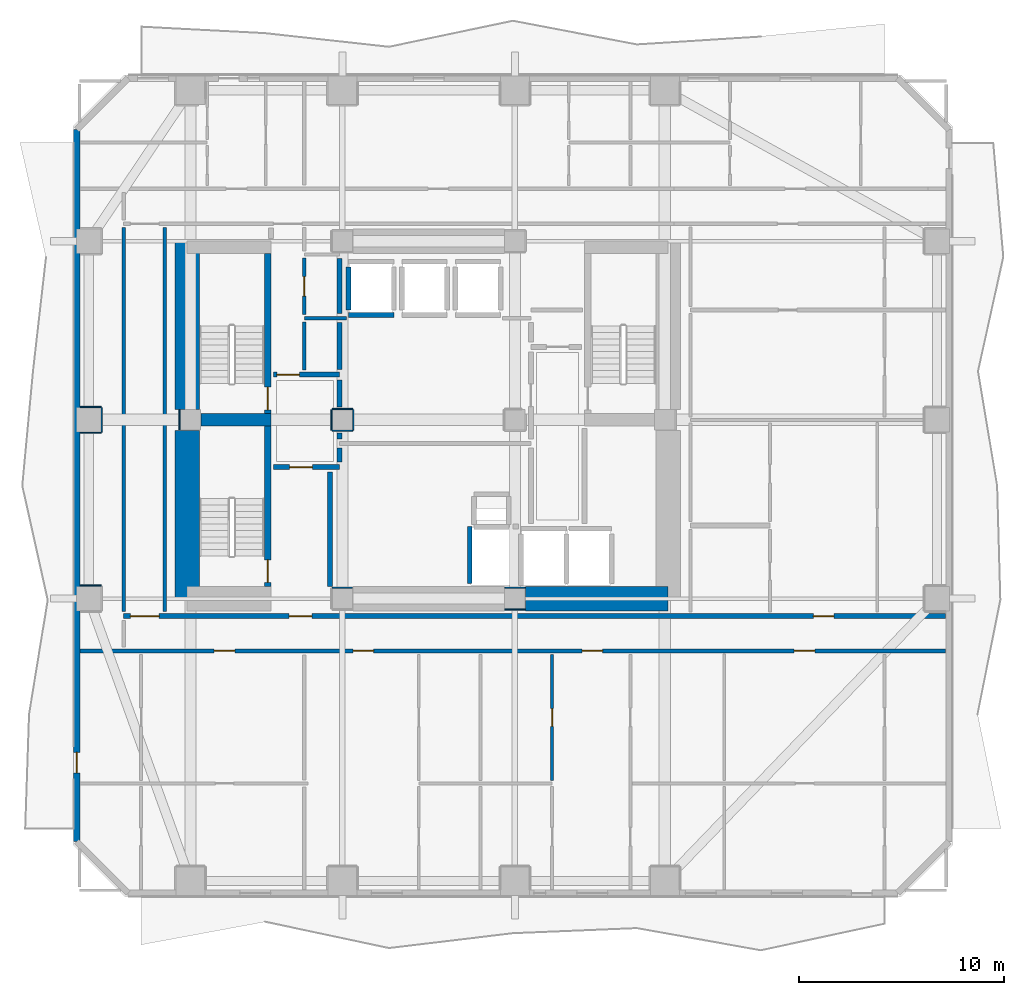
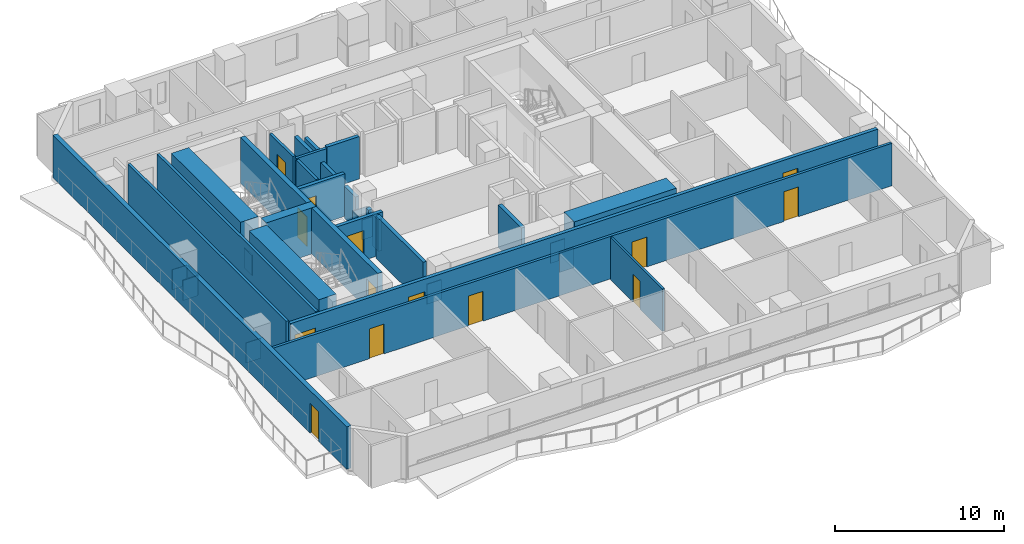
# One storey, part 3 of 10: 38 walls, 14 doors, 14 openings.
"""IFC4 building model written with IfcOpenShell, lengths in metres."""

from ifc_helpers import new_model, si_unit, direction, frame, frame_2d, origin, place, context, subcontext, project, spatial, rectangle, extrude, material, layer, layer_set, type_object, element, fill, save


model = new_model("IFC4")

# Units and contexts
model_context = context("Model", 3, precision=1e-05, world=origin(), true_north=direction((0.0, 1.0)))
body_context = subcontext(model_context, "Body", "Model", "MODEL_VIEW")
ifc_project = project(units=[si_unit("LENGTHUNIT", "METRE"), si_unit("AREAUNIT", "SQUARE_METRE"), si_unit("VOLUMEUNIT", "CUBIC_METRE"), si_unit("PLANEANGLEUNIT", "RADIAN"), si_unit("MASSUNIT", "GRAM", prefix="KILO")], contexts=[model_context])

# Site, building, storey
site_placement = place(None, origin())
site = spatial("IfcSite", under=ifc_project, at=site_placement, CompositionType="ELEMENT")
building_placement = place(site_placement, origin())
building = spatial("IfcBuilding", under=site, at=building_placement, Name="Solanera Arch Residences", CompositionType="ELEMENT")
storey_placement = place(building_placement, frame((0.0, 0.0, 45.239990234375)))
storey = spatial("IfcBuildingStorey", under=building, at=storey_placement, Name="L12", CompositionType="ELEMENT", Elevation=45.239990234375)

# Walls
ifc_material_1 = material(Name="Fire-Rated Gypsum Stud Partition", Category="gypsum")
ifc_layer_1 = layer(ifc_material_1, 0.06005859375)
ifc_layer_set_1 = layer_set([ifc_layer_1], Name="Fire-Rated Gypsum Stud Partition")
wall_type_1 = type_object("IfcWallType", Name="Column Acoustic Furring Wall 60", PredefinedType="PARTITIONING", material=ifc_layer_set_1)
wall_1_placement = place(storey_placement, frame((20.300048828125, 22.531982421875, 0.0), z_axis=(0.0, 0.0, 1.0), x_axis=(1.0, 0.0, 0.0)))
element("IfcWall", 1, at=wall_1_placement, inside=storey, type_object=wall_type_1, Name="L12 Column Furring 1N", PredefinedType="PARTITIONING", context=body_context, shape_type="SweptSolid", body=[
    extrude(rectangle(XDim=0.989990234375, YDim=0.06005859375, at=frame_2d((0.4951171875, 0.0))), origin(), (0.0, 0.0, 1.0), 1.449951171875),
])
for number, where, z_axis, x_axis, name in (
    (2, (28.7099609375, 21.468017578125, 0.0), (0.0, 0.0, 1.0), (1.0, 0.0, 0.0), "L12 Column Furring 2S"),
    (3, (28.7099609375, 22.531982421875, 0.0), (0.0, 0.0, 1.0), (1.0, 0.0, 0.0), "L12 Column Furring 2N"),
    (4, (12.867919921875, 30.2099609375, 0.0), (0.0, 0.0, 1.0), (0.0, 1.0, 0.0), "L12 Column Furring 5W"),
):
    element("IfcWall", number, at=place(storey_placement, frame(where, z_axis=z_axis, x_axis=x_axis)), inside=storey, type_object=wall_type_1, Name=name, PredefinedType="PARTITIONING", context=body_context, shape_type="SweptSolid", body=[
        extrude(rectangle(XDim=0.97998046875, YDim=0.06005859375, at=frame_2d((0.489990234375, 0.0))), origin(), (0.0, 0.0, 1.0), 1.449951171875),
    ])
for number, where, z_axis, x_axis, name in (
    (5, (20.300048828125, 30.16796875, 0.0), (0.0, 0.0, 1.0), (1.0, 0.0, 0.0), "L12 Column Furring 7S"),
    (6, (20.300048828125, 31.23193359375, 0.0), (0.0, 0.0, 1.0), (1.0, 0.0, 0.0), "L12 Column Furring 7N"),
    (7, (20.26806640625, 30.199951171875, 0.0), (0.0, 0.0, 1.0), (0.0, 1.0, 0.0), "L12 Column Furring 7W"),
    (8, (21.33203125, 30.199951171875, 0.0), (0.0, 0.0, 1.0), (0.0, 1.0, 0.0), "L12 Column Furring 7E"),
):
    element("IfcWall", number, at=place(storey_placement, frame(where, z_axis=z_axis, x_axis=x_axis)), inside=storey, type_object=wall_type_1, Name=name, PredefinedType="PARTITIONING", context=body_context, shape_type="SweptSolid", body=[
        extrude(rectangle(XDim=1.0, YDim=0.06005859375, at=frame_2d((0.5, 0.0))), origin(), (0.0, 0.0, 1.0), 1.449951171875),
    ])
for number, where, z_axis, x_axis, name in (
    (9, (8.030029296875, 22.632080078125, 0.0), (0.0, 0.0, 1.0), (1.0, 0.0, 0.0), "L12 Column Furring 17N"),
    (10, (8.030029296875, 30.068115234375, 0.0), (0.0, 0.0, 1.0), (1.0, 0.0, 0.0), "L12 Column Furring 19S"),
    (11, (8.030029296875, 31.33203125, 0.0), (0.0, 0.0, 1.0), (1.0, 0.0, 0.0), "L12 Column Furring 19N"),
):
    element("IfcWall", number, at=place(storey_placement, frame(where, z_axis=z_axis, x_axis=x_axis)), inside=storey, type_object=wall_type_1, Name=name, PredefinedType="PARTITIONING", context=body_context, shape_type="SweptSolid", body=[
        extrude(rectangle(XDim=1.02001953125, YDim=0.06005859375, at=frame_2d((0.510009765625, 0.0))), origin(), (0.0, 0.0, 1.0), 1.449951171875),
    ])
wall_2_placement = place(storey_placement, frame((9.08203125, 30.10009765625, 0.0), z_axis=(0.0, 0.0, 1.0), x_axis=(0.0, 1.0, 0.0)))
element("IfcWall", 12, at=wall_2_placement, inside=storey, type_object=wall_type_1, Name="L12 Column Furring 19E", PredefinedType="PARTITIONING", context=body_context, shape_type="SweptSolid", body=[
    extrude(rectangle(XDim=1.199951171875, YDim=0.06005859375, at=frame_2d((0.60009765625, 0.0))), origin(), (0.0, 0.0, 1.0), 1.449951171875),
])
ifc_material_2 = material(Name="Concrete C55/67 (f'c = 60 MPa)", Category="concrete")
ifc_layer_2 = layer(ifc_material_2, 1.199951171875)
ifc_layer_set_2 = layer_set([ifc_layer_2], Name="Concrete C55/67 (f'c = 60 MPa)")
wall_type_2 = type_object("IfcWallType", Name="Core Shear Wall CW-1200", PredefinedType="SHEAR", material=ifc_layer_set_2)
wall_3_placement = place(storey_placement, frame((13.239990234375, 22.0, 0.0), z_axis=(0.0, 0.0, 1.0), x_axis=(0.0, 1.0, 0.0)))
element("IfcWall", 13, at=wall_3_placement, inside=storey, type_object=wall_type_2, Name="L12 West Core South Shear Wall", PredefinedType="SHEAR", context=body_context, shape_type="SweptSolid", body=[
    extrude(rectangle(XDim=8.195068359375, YDim=1.199951171875, at=frame_2d((4.09765625, 0.0))), origin(), (0.0, 0.0, 1.0), 3.320068359375),
])
wall_4_placement = place(storey_placement, frame((13.239990234375, 31.205078125, 0.0), z_axis=(0.0, 0.0, 1.0), x_axis=(0.0, 1.0, 0.0)))
element("IfcWall", 14, at=wall_4_placement, inside=storey, type_object=wall_type_2, Name="L12 West Core North Shear Wall", PredefinedType="SHEAR", context=body_context, shape_type="SweptSolid", body=[
    extrude(rectangle(XDim=8.19482421875, YDim=1.199951171875, at=frame_2d((4.097412109375, 0.0))), origin(), (0.0, 0.0, 1.0), 3.320068359375),
])
wall_5_placement = place(storey_placement, frame((29.705078125, 22.0, 0.0), z_axis=(0.0, 0.0, 1.0), x_axis=(1.0, 0.0, 0.0)))
element("IfcWall", 15, at=wall_5_placement, inside=storey, type_object=wall_type_2, Name="L12 South-East Core Shear Wall", PredefinedType="SHEAR", context=body_context, shape_type="SweptSolid", body=[
    extrude(rectangle(XDim=6.954833984375, YDim=1.199951171875, at=frame_2d((3.4775390625, 0.0))), origin(), (0.0, 0.0, 1.0), 3.320068359375),
])

# Wall, opening, door
ifc_material_3 = material(Name="Concrete C40/50 (f'c = 45 MPa)", Category="concrete")
ifc_layer_3 = layer(ifc_material_3, 0.320068359375)
ifc_layer_set_3 = layer_set([ifc_layer_3], Name="Concrete C40/50 (f'c = 45 MPa)")
wall_type_3 = type_object("IfcWallType", Name="Core Shear Wall CW-320", PredefinedType="SHEAR", material=ifc_layer_set_3)
wall_6_placement = place(storey_placement, frame((17.159912109375, 31.0, 0.0), z_axis=(0.0, 0.0, 1.0), x_axis=(0.0, 1.0, 0.0)))
wall_6 = element("IfcWall", 16, at=wall_6_placement, inside=storey, type_object=wall_type_3, Name="L12 Stair ST-T1 East Shear Wall", PredefinedType="SHEAR", context=body_context, shape_type="SweptSolid", body=[
    extrude(rectangle(XDim=7.800048828125, YDim=0.320068359375, at=frame_2d((3.89990234375, 0.0))), origin(), (0.0, 0.0, 1.0), 3.320068359375),
])
opening_1_placement = place(wall_6_placement, frame((0.18994140625, 0.0, 0.0)))
opening_1 = element("IfcOpeningElement", 17, at=opening_1_placement, cuts=wall_6, Name="Opening DF-01", PredefinedType="OPENING", context=body_context, shape_type="SweptSolid", body=[
    extrude(rectangle(XDim=1.10009765625, YDim=2.14990234375, at=frame_2d((0.550048828125, 1.074951171875))), frame((0.0, 0.169921875, 0.0), z_axis=(0.0, -1.0, 0.0), x_axis=(1.0, 0.0, 0.0)), (0.0, 0.0, 1.0), 0.3401),
])
ifc_material_4 = material(Name="Fire-Rated Architectural Hardwood", Category="wood")
door_type_1 = type_object("IfcDoorType", Name="Stair Exit Fire Door DF-01", OperationType="NOTDEFINED", PredefinedType="DOOR", material=ifc_material_4)
door_1_placement = place(opening_1_placement, origin())
door_1 = element("IfcDoor", 18, at=door_1_placement, inside=storey, type_object=door_type_1, Name="DR-L12-STAIR-ST-T1", OperationType="SINGLE_SWING_RIGHT", OverallHeight=2.14990234375, OverallWidth=1.10009765625, PredefinedType="DOOR", context=body_context, shape_type="SweptSolid", body=[
    extrude(rectangle(XDim=1.10009765625, YDim=2.14990234375, at=frame_2d((0.550048828125, 1.074951171875))), frame((0.0, 0.02490234375, 0.0), z_axis=(0.0, -1.0, 0.0), x_axis=(1.0, 0.0, 0.0)), (0.0, 0.0, 1.0), 0.050048828125),
])
fill(opening_1, door_1)

wall_7_placement = place(storey_placement, frame((17.159912109375, 22.60009765625, 0.0), z_axis=(0.0, 0.0, 1.0), x_axis=(0.0, 1.0, 0.0)))
wall_7 = element("IfcWall", 19, at=wall_7_placement, inside=storey, type_object=wall_type_3, Name="L12 Stair ST-T3 East Shear Wall", PredefinedType="SHEAR", context=body_context, shape_type="SweptSolid", body=[
    extrude(rectangle(XDim=7.7998046875, YDim=0.320068359375, at=frame_2d((3.89990234375, 0.0))), origin(), (0.0, 0.0, 1.0), 3.320068359375),
])
opening_2_placement = place(wall_7_placement, frame((0.18994140625, 0.0, 0.0)))
opening_2 = element("IfcOpeningElement", 20, at=opening_2_placement, cuts=wall_7, Name="Opening DF-01", PredefinedType="OPENING", context=body_context, shape_type="SweptSolid", body=[
    extrude(rectangle(XDim=1.10009765625, YDim=2.14990234375, at=frame_2d((0.550048828125, 1.074951171875))), frame((0.0, 0.169921875, 0.0), z_axis=(0.0, -1.0, 0.0), x_axis=(1.0, 0.0, 0.0)), (0.0, 0.0, 1.0), 0.3401),
])
door_2_placement = place(opening_2_placement, origin())
door_2 = element("IfcDoor", 21, at=door_2_placement, inside=storey, type_object=door_type_1, Name="DR-L12-STAIR-ST-T3", OperationType="SINGLE_SWING_RIGHT", OverallHeight=2.14990234375, OverallWidth=1.10009765625, PredefinedType="DOOR", context=body_context, shape_type="SweptSolid", body=[
    extrude(rectangle(XDim=1.10009765625, YDim=2.14990234375, at=frame_2d((0.550048828125, 1.074951171875))), frame((0.0, 0.02490234375, 0.0), z_axis=(0.0, -1.0, 0.0), x_axis=(1.0, 0.0, 0.0)), (0.0, 0.0, 1.0), 0.050048828125),
])
fill(opening_2, door_2)

# Wall
ifc_material_5 = material(Name="Concrete C40/50 (f'c = 45 MPa)", Category="concrete")
ifc_layer_4 = layer(ifc_material_5, 0.60009765625)
ifc_layer_set_4 = layer_set([ifc_layer_4], Name="Concrete C40/50 (f'c = 45 MPa)")
wall_type_4 = type_object("IfcWallType", Name="Core Shear Wall CW-600", PredefinedType="SHEAR", material=ifc_layer_set_4)
wall_8_placement = place(storey_placement, frame((13.905029296875, 30.699951171875, 0.0), z_axis=(0.0, 0.0, 1.0), x_axis=(1.0, 0.0, 0.0)))
element("IfcWall", 22, at=wall_8_placement, inside=storey, type_object=wall_type_4, Name="L12 West Stair Divider Shear Wall", PredefinedType="SHEAR", context=body_context, shape_type="SweptSolid", body=[
    extrude(rectangle(XDim=3.4150390625, YDim=0.60009765625, at=frame_2d((1.70751953125, 0.0))), origin(), (0.0, 0.0, 1.0), 3.320068359375),
])

# Wall, openings, doors
ifc_material_6 = material(Name="Autoclaved Aerated Concrete Blockwork", Category="masonry")
ifc_layer_5 = layer(ifc_material_6, 0.179931640625)
ifc_layer_set_5 = layer_set([ifc_layer_5], Name="Autoclaved Aerated Concrete Blockwork")
wall_type_5 = type_object("IfcWallType", Name="Corridor Fire Partition 180", PredefinedType="PARTITIONING", material=ifc_layer_set_5)
wall_9_placement = place(storey_placement, frame((8.027099609375, 19.449951171875, 0.0), z_axis=(0.0, 0.0, 1.0), x_axis=(1.0, 0.0, 0.0)))
wall_9 = element("IfcWall", 23, at=wall_9_placement, inside=storey, type_object=wall_type_5, Name="L12 Interior Partition H7", PredefinedType="PARTITIONING", context=body_context, shape_type="SweptSolid", body=[
    extrude(rectangle(XDim=42.14599609375, YDim=0.179931640625, at=frame_2d((21.072998046875, 0.0))), origin(), (0.0, 0.0, 1.0), 3.06005859375),
])
opening_3_placement = place(wall_9_placement, frame((6.532958984375, 0.0, 0.0)))
opening_3 = element("IfcOpeningElement", 24, at=opening_3_placement, cuts=wall_9, Name="Opening DI-01", PredefinedType="OPENING", context=body_context, shape_type="SweptSolid", body=[
    extrude(rectangle(XDim=1.0, YDim=2.14990234375, at=frame_2d((0.5, 1.074951171875))), frame((0.0, 0.10009765625, 0.0), z_axis=(0.0, -1.0, 0.0), x_axis=(1.0, 0.0, 0.0)), (0.0, 0.0, 1.0), 0.1999),
])
opening_4_placement = place(wall_9_placement, frame((13.29296875, 0.0, 0.0)))
opening_4 = element("IfcOpeningElement", 25, at=opening_4_placement, cuts=wall_9, Name="Opening DI-01", PredefinedType="OPENING", context=body_context, shape_type="SweptSolid", body=[
    extrude(rectangle(XDim=1.0, YDim=2.14990234375, at=frame_2d((0.5, 1.074951171875))), frame((0.0, 0.10009765625, 0.0), z_axis=(0.0, -1.0, 0.0), x_axis=(1.0, 0.0, 0.0)), (0.0, 0.0, 1.0), 0.1999),
])
opening_5_placement = place(wall_9_placement, frame((24.43896484375, 0.0, 0.0)))
opening_5 = element("IfcOpeningElement", 26, at=opening_5_placement, cuts=wall_9, Name="Opening DI-01", PredefinedType="OPENING", context=body_context, shape_type="SweptSolid", body=[
    extrude(rectangle(XDim=1.0, YDim=2.14990234375, at=frame_2d((0.5, 1.074951171875))), frame((0.0, 0.10009765625, 0.0), z_axis=(0.0, -1.0, 0.0), x_axis=(1.0, 0.0, 0.0)), (0.0, 0.0, 1.0), 0.1999),
])
opening_6_placement = place(wall_9_placement, frame((34.77099609375, 0.0, 0.0)))
opening_6 = element("IfcOpeningElement", 27, at=opening_6_placement, cuts=wall_9, Name="Opening DI-01", PredefinedType="OPENING", context=body_context, shape_type="SweptSolid", body=[
    extrude(rectangle(XDim=1.0, YDim=2.14990234375, at=frame_2d((0.5, 1.074951171875))), frame((0.0, 0.10009765625, 0.0), z_axis=(0.0, -1.0, 0.0), x_axis=(1.0, 0.0, 0.0)), (0.0, 0.0, 1.0), 0.1999),
])
ifc_material_7 = material(Name="Fire-Rated Architectural Hardwood", Category="wood")
door_type_2 = type_object("IfcDoorType", Name="Unit Entrance Fire Door DI-01", OperationType="NOTDEFINED", PredefinedType="DOOR", material=ifc_material_7)
door_3_placement = place(opening_3_placement, origin())
door_3 = element("IfcDoor", 28, at=door_3_placement, inside=storey, type_object=door_type_2, Name="DR-L12-IN-013", OperationType="SINGLE_SWING_RIGHT", OverallHeight=2.14990234375, OverallWidth=1.0, PredefinedType="DOOR", context=body_context, shape_type="SweptSolid", body=[
    extrude(rectangle(XDim=1.0, YDim=2.14990234375, at=frame_2d((0.5, 1.074951171875))), frame((0.0, 0.02490234375, 0.0), z_axis=(0.0, -1.0, 0.0), x_axis=(1.0, 0.0, 0.0)), (0.0, 0.0, 1.0), 0.050048828125),
])
fill(opening_3, door_3)
door_4_placement = place(opening_4_placement, origin())
door_4 = element("IfcDoor", 29, at=door_4_placement, inside=storey, type_object=door_type_2, Name="DR-L12-IN-017", OperationType="SINGLE_SWING_RIGHT", OverallHeight=2.14990234375, OverallWidth=1.0, PredefinedType="DOOR", context=body_context, shape_type="SweptSolid", body=[
    extrude(rectangle(XDim=1.0, YDim=2.14990234375, at=frame_2d((0.5, 1.074951171875))), frame((0.0, 0.02490234375, 0.0), z_axis=(0.0, -1.0, 0.0), x_axis=(1.0, 0.0, 0.0)), (0.0, 0.0, 1.0), 0.050048828125),
])
fill(opening_4, door_4)
door_5_placement = place(opening_5_placement, origin())
door_5 = element("IfcDoor", 30, at=door_5_placement, inside=storey, type_object=door_type_2, Name="DR-L12-IN-020", OperationType="SINGLE_SWING_LEFT", OverallHeight=2.14990234375, OverallWidth=1.0, PredefinedType="DOOR", context=body_context, shape_type="SweptSolid", body=[
    extrude(rectangle(XDim=1.0, YDim=2.14990234375, at=frame_2d((0.5, 1.074951171875))), frame((0.0, 0.02490234375, 0.0), z_axis=(0.0, -1.0, 0.0), x_axis=(1.0, 0.0, 0.0)), (0.0, 0.0, 1.0), 0.050048828125),
])
fill(opening_5, door_5)
door_6_placement = place(opening_6_placement, origin())
door_6 = element("IfcDoor", 31, at=door_6_placement, inside=storey, type_object=door_type_2, Name="DR-L12-IN-025", OperationType="SINGLE_SWING_RIGHT", OverallHeight=2.14990234375, OverallWidth=1.0, PredefinedType="DOOR", context=body_context, shape_type="SweptSolid", body=[
    extrude(rectangle(XDim=1.0, YDim=2.14990234375, at=frame_2d((0.5, 1.074951171875))), frame((0.0, 0.02490234375, 0.0), z_axis=(0.0, -1.0, 0.0), x_axis=(1.0, 0.0, 0.0)), (0.0, 0.0, 1.0), 0.050048828125),
])
fill(opening_6, door_6)

# Walls
wall_10_placement = place(storey_placement, frame((18.949951171875, 35.64990234375, 0.0), z_axis=(0.0, 0.0, 1.0), x_axis=(1.0, 0.0, 0.0)))
element("IfcWall", 32, at=wall_10_placement, inside=storey, type_object=wall_type_5, Name="L12 Interior Partition H9 1", PredefinedType="PARTITIONING", context=body_context, shape_type="SweptSolid", body=[
    extrude(rectangle(XDim=2.05712890625, YDim=0.179931640625, at=frame_2d((1.028564453125, 0.0))), origin(), (0.0, 0.0, 1.0), 3.06005859375),
])
for number, where, z_axis, x_axis, name in (
    (33, (10.14990234375, 21.367919921875, 0.0), (0.0, 0.0, 1.0), (0.0, 1.0, 0.0), "L12 Interior Partition V6 2"),
    (34, (12.14990234375, 21.367919921875, 0.0), (0.0, 0.0, 1.0), (0.0, 1.0, 0.0), "L12 Interior Partition V7"),
):
    element("IfcWall", number, at=place(storey_placement, frame(where, z_axis=z_axis, x_axis=x_axis)), inside=storey, type_object=wall_type_5, Name=name, PredefinedType="PARTITIONING", context=body_context, shape_type="SweptSolid", body=[
        extrude(rectangle(XDim=18.694091796875, YDim=0.179931640625, at=frame_2d((9.34716796875, 0.0))), origin(), (0.0, 0.0, 1.0), 3.06005859375),
    ])
wall_11_placement = place(storey_placement, frame((18.949951171875, 33.117919921875, 0.0), z_axis=(0.0, 0.0, 1.0), x_axis=(0.0, 1.0, 0.0)))
element("IfcWall", 35, at=wall_11_placement, inside=storey, type_object=wall_type_5, Name="L12 Interior Partition V9 1", PredefinedType="PARTITIONING", context=body_context, shape_type="SweptSolid", body=[
    extrude(rectangle(XDim=2.343994140625, YDim=0.179931640625, at=frame_2d((1.171875, 0.0))), origin(), (0.0, 0.0, 1.0), 3.06005859375),
])

# Wall, opening, door
wall_12_placement = place(storey_placement, frame((18.949951171875, 35.837890625, 0.0), z_axis=(0.0, 0.0, 1.0), x_axis=(0.0, 1.0, 0.0)))
wall_12 = element("IfcWall", 36, at=wall_12_placement, inside=storey, type_object=wall_type_5, Name="L12 Interior Partition V9 2", PredefinedType="PARTITIONING", context=body_context, shape_type="SweptSolid", body=[
    extrude(rectangle(XDim=2.744140625, YDim=0.179931640625, at=frame_2d((1.3720703125, 0.0))), origin(), (0.0, 0.0, 1.0), 3.06005859375),
])
opening_7_placement = place(wall_12_placement, frame((0.886962890625, 0.0, 0.0)))
opening_7 = element("IfcOpeningElement", 37, at=opening_7_placement, cuts=wall_12, Name="Opening DI-04", PredefinedType="OPENING", context=body_context, shape_type="SweptSolid", body=[
    extrude(rectangle(XDim=0.949951171875, YDim=2.10009765625, at=frame_2d((0.47509765625, 1.050048828125))), frame((0.0, 0.10009765625, 0.0), z_axis=(0.0, -1.0, 0.0), x_axis=(1.0, 0.0, 0.0)), (0.0, 0.0, 1.0), 0.1999),
])
ifc_material_8 = material(Name="Fire-Rated Architectural Hardwood", Category="wood")
door_type_3 = type_object("IfcDoorType", Name="Accessible Restroom Door DI-04", OperationType="NOTDEFINED", PredefinedType="DOOR", material=ifc_material_8)
door_7_placement = place(opening_7_placement, origin())
door_7 = element("IfcDoor", 38, at=door_7_placement, inside=storey, type_object=door_type_3, Name="DR-L12-IN-012", OperationType="SINGLE_SWING_LEFT", OverallHeight=2.10009765625, OverallWidth=0.949951171875, PredefinedType="DOOR", context=body_context, shape_type="SweptSolid", body=[
    extrude(rectangle(XDim=0.949951171875, YDim=2.10009765625, at=frame_2d((0.47509765625, 1.050048828125))), frame((0.0, 0.02490234375, 0.0), z_axis=(0.0, -1.0, 0.0), x_axis=(1.0, 0.0, 0.0)), (0.0, 0.0, 1.0), 0.050048828125),
])
fill(opening_7, door_7)

ifc_material_9 = material(Name="Precast Concrete C35/45", Category="concrete")
ifc_layer_6 = layer(ifc_material_9, 0.300048828125)
ifc_layer_set_6 = layer_set([ifc_layer_6], Name="Precast Concrete C35/45")
wall_type_6 = type_object("IfcWallType", Name="Exterior Wall Precast Masonry-Frame 300", PredefinedType="STANDARD", material=ifc_layer_set_6)
wall_13_placement = place(storey_placement, frame((7.864990234375, 10.1650390625, 0.0), z_axis=(0.0, 0.0, 1.0), x_axis=(0.0, 1.0, 0.0)))
wall_13 = element("IfcWall", 39, at=wall_13_placement, inside=storey, type_object=wall_type_6, Name="L12 Tower Exterior Precast Masonry-Frame Wall W", PredefinedType="STANDARD", context=body_context, shape_type="SweptSolid", body=[
    extrude(rectangle(XDim=34.669921875, YDim=0.300048828125, at=frame_2d((17.3349609375, 0.0))), origin(), (0.0, 0.0, 1.0), 3.06005859375),
])
opening_8_placement = place(wall_13_placement, frame((3.35205078125, 0.0, 0.0)))
opening_8 = element("IfcOpeningElement", 40, at=opening_8_placement, cuts=wall_13, Name="Opening DB-01", PredefinedType="OPENING", context=body_context, shape_type="SweptSolid", body=[
    extrude(rectangle(XDim=1.0, YDim=2.14990234375, at=frame_2d((0.5, 1.074951171875))), frame((0.0, 0.159912109375, 0.0), z_axis=(0.0, -1.0, 0.0), x_axis=(1.0, 0.0, 0.0)), (0.0, 0.0, 1.0), 0.32),
])
ifc_material_10 = material(Name="Anodised Aluminium Alloy 6063-T6", Category="aluminium")
door_type_4 = type_object("IfcDoorType", Name="Glazed Balcony Swing Door DB-01", OperationType="NOTDEFINED", PredefinedType="DOOR", material=ifc_material_10)
door_8_placement = place(opening_8_placement, origin())
door_8 = element("IfcDoor", 41, at=door_8_placement, inside=storey, type_object=door_type_4, Name="DR-L12-OUT-04", OperationType="SINGLE_SWING_LEFT", OverallHeight=2.14990234375, OverallWidth=1.0, PredefinedType="DOOR", context=body_context, shape_type="SweptSolid", body=[
    extrude(rectangle(XDim=1.0, YDim=2.14990234375, at=frame_2d((0.5, 1.074951171875))), frame((0.0, 0.02490234375, 0.0), z_axis=(0.0, -1.0, 0.0), x_axis=(1.0, 0.0, 0.0)), (0.0, 0.0, 1.0), 0.050048828125),
])
fill(opening_8, door_8)

# Walls
ifc_material_11 = material(Name="Autoclaved Aerated Concrete Blockwork", Category="masonry")
ifc_layer_7 = layer(ifc_material_11, 0.239990234375)
ifc_layer_set_7 = layer_set([ifc_layer_7], Name="Autoclaved Aerated Concrete Blockwork")
wall_type_7 = type_object("IfcWallType", Name="Shaft Wall Fire-Rated 240", PredefinedType="PARTITIONING", material=ifc_layer_set_7)
wall_14_placement = place(storey_placement, frame((21.10009765625, 35.800048828125, 0.0), z_axis=(0.0, 0.0, 1.0), x_axis=(1.0, 0.0, 0.0)))
element("IfcWall", 42, at=wall_14_placement, inside=storey, type_object=wall_type_7, Name="L12 Lift PL-L1 Hoistway Wall S", PredefinedType="PARTITIONING", context=body_context, shape_type="SweptSolid", body=[
    extrude(rectangle(XDim=2.199951171875, YDim=0.239990234375, at=frame_2d((1.10009765625, 0.0))), origin(), (0.0, 0.0, 1.0), 3.06005859375),
])
wall_15_placement = place(storey_placement, frame((21.10009765625, 36.048095703125, 0.0), z_axis=(0.0, 0.0, 1.0), x_axis=(0.0, 1.0, 0.0)))
element("IfcWall", 43, at=wall_15_placement, inside=storey, type_object=wall_type_7, Name="L12 Lift PL-L1 Hoistway Wall W", PredefinedType="PARTITIONING", context=body_context, shape_type="SweptSolid", body=[
    extrude(rectangle(XDim=2.10400390625, YDim=0.239990234375, at=frame_2d((1.052001953125, 0.0))), origin(), (0.0, 0.0, 1.0), 2.294921875),
])
wall_16_placement = place(storey_placement, frame((27.0, 22.72998046875, 0.0), z_axis=(0.0, 0.0, 1.0), x_axis=(0.0, 1.0, 0.0)))
element("IfcWall", 44, at=wall_16_placement, inside=storey, type_object=wall_type_7, Name="L12 Lift SVL-1 Hoistway Wall W", PredefinedType="PARTITIONING", context=body_context, shape_type="SweptSolid", body=[
    extrude(rectangle(XDim=2.76806640625, YDim=0.239990234375, at=frame_2d((1.384033203125, 0.0))), origin(), (0.0, 0.0, 1.0), 3.06005859375),
])

# Wall, openings, doors
wall_17_placement = place(storey_placement, frame((10.14990234375, 21.14990234375, 0.0), z_axis=(0.0, 0.0, 1.0), x_axis=(1.0, 0.0, 0.0)))
wall_17 = element("IfcWall", 45, at=wall_17_placement, inside=storey, type_object=wall_type_7, Name="L12 Interior Partition H1", PredefinedType="PARTITIONING", context=body_context, shape_type="SweptSolid", body=[
    extrude(rectangle(XDim=40.023193359375, YDim=0.239990234375, at=frame_2d((20.01171875, 0.0))), origin(), (0.0, 0.0, 1.0), 3.06005859375),
])
opening_9_placement = place(wall_17_placement, frame((8.06005859375, 0.0, 0.0)))
opening_9 = element("IfcOpeningElement", 46, at=opening_9_placement, cuts=wall_17, Name="Opening DF-02", PredefinedType="OPENING", context=body_context, shape_type="SweptSolid", body=[
    extrude(rectangle(XDim=1.10009765625, YDim=2.14990234375, at=frame_2d((0.550048828125, 1.074951171875))), frame((0.0, 0.1298828125, 0.0), z_axis=(0.0, -1.0, 0.0), x_axis=(1.0, 0.0, 0.0)), (0.0, 0.0, 1.0), 0.26),
])
opening_10_placement = place(wall_17_placement, frame((0.323974609375, 0.0, 0.0)))
opening_10 = element("IfcOpeningElement", 47, at=opening_10_placement, cuts=wall_17, Name="Opening DF-03", PredefinedType="OPENING", context=body_context, shape_type="SweptSolid", body=[
    extrude(rectangle(XDim=1.39990234375, YDim=2.14990234375, at=frame_2d((0.699951171875, 1.074951171875))), frame((0.0, 0.1298828125, 0.0), z_axis=(0.0, -1.0, 0.0), x_axis=(1.0, 0.0, 0.0)), (0.0, 0.0, 1.0), 0.26),
])
opening_11_placement = place(wall_17_placement, frame((33.573974609375, 0.0, 0.0)))
opening_11 = element("IfcOpeningElement", 48, at=opening_11_placement, cuts=wall_17, Name="Opening DI-01", PredefinedType="OPENING", context=body_context, shape_type="SweptSolid", body=[
    extrude(rectangle(XDim=1.0, YDim=2.14990234375, at=frame_2d((0.5, 1.074951171875))), frame((0.0, 0.1298828125, 0.0), z_axis=(0.0, -1.0, 0.0), x_axis=(1.0, 0.0, 0.0)), (0.0, 0.0, 1.0), 0.26),
])
ifc_material_12 = material(Name="Fire-Rated Architectural Hardwood", Category="wood")
door_type_5 = type_object("IfcDoorType", Name="Corridor Smoke Door DF-03", OperationType="NOTDEFINED", PredefinedType="DOOR", material=ifc_material_12)
door_9_placement = place(opening_10_placement, origin())
door_9 = element("IfcDoor", 49, at=door_9_placement, inside=storey, type_object=door_type_5, Name="DR-L12-IN-010", OperationType="SINGLE_SWING_LEFT", OverallHeight=2.14990234375, OverallWidth=1.39990234375, PredefinedType="DOOR", context=body_context, shape_type="SweptSolid", body=[
    extrude(rectangle(XDim=1.39990234375, YDim=2.14990234375, at=frame_2d((0.699951171875, 1.074951171875))), frame((0.0, 0.02490234375, 0.0), z_axis=(0.0, -1.0, 0.0), x_axis=(1.0, 0.0, 0.0)), (0.0, 0.0, 1.0), 0.050048828125),
])
fill(opening_10, door_9)
ifc_material_13 = material(Name="Fire-Rated Architectural Hardwood", Category="wood")
door_type_6 = type_object("IfcDoorType", Name="Firefighting Lobby Fire Door DF-02", OperationType="NOTDEFINED", PredefinedType="DOOR", material=ifc_material_13)
door_10_placement = place(opening_9_placement, origin())
door_10 = element("IfcDoor", 50, at=door_10_placement, inside=storey, type_object=door_type_6, Name="DR-L12-IN-008", OperationType="SINGLE_SWING_LEFT", OverallHeight=2.14990234375, OverallWidth=1.10009765625, PredefinedType="DOOR", context=body_context, shape_type="SweptSolid", body=[
    extrude(rectangle(XDim=1.10009765625, YDim=2.14990234375, at=frame_2d((0.550048828125, 1.074951171875))), frame((0.0, 0.02490234375, 0.0), z_axis=(0.0, -1.0, 0.0), x_axis=(1.0, 0.0, 0.0)), (0.0, 0.0, 1.0), 0.050048828125),
])
fill(opening_9, door_10)
door_11_placement = place(opening_11_placement, origin())
door_11 = element("IfcDoor", 51, at=door_11_placement, inside=storey, type_object=door_type_2, Name="DR-L12-IN-040", OperationType="SINGLE_SWING_LEFT", OverallHeight=2.14990234375, OverallWidth=1.0, PredefinedType="DOOR", context=body_context, shape_type="SweptSolid", body=[
    extrude(rectangle(XDim=1.0, YDim=2.14990234375, at=frame_2d((0.5, 1.074951171875))), frame((0.0, 0.02490234375, 0.0), z_axis=(0.0, -1.0, 0.0), x_axis=(1.0, 0.0, 0.0)), (0.0, 0.0, 1.0), 0.050048828125),
])
fill(opening_11, door_11)

# Wall, opening, door
wall_18_placement = place(storey_placement, frame((17.449951171875, 28.39990234375, 0.0), z_axis=(0.0, 0.0, 1.0), x_axis=(1.0, 0.0, 0.0)))
wall_18 = element("IfcWall", 52, at=wall_18_placement, inside=storey, type_object=wall_type_7, Name="L12 Interior Partition H4", PredefinedType="PARTITIONING", context=body_context, shape_type="SweptSolid", body=[
    extrude(rectangle(XDim=3.199951171875, YDim=0.239990234375, at=frame_2d((1.60009765625, 0.0))), origin(), (0.0, 0.0, 1.0), 3.06005859375),
])
opening_12_placement = place(wall_18_placement, frame((0.783935546875, 0.0, 0.0)))
opening_12 = element("IfcOpeningElement", 53, at=opening_12_placement, cuts=wall_18, Name="Opening DF-02", PredefinedType="OPENING", context=body_context, shape_type="SweptSolid", body=[
    extrude(rectangle(XDim=1.10009765625, YDim=2.14990234375, at=frame_2d((0.550048828125, 1.074951171875))), frame((0.0, 0.1298828125, 0.0), z_axis=(0.0, -1.0, 0.0), x_axis=(1.0, 0.0, 0.0)), (0.0, 0.0, 1.0), 0.26),
])
door_12_placement = place(opening_12_placement, origin())
door_12 = element("IfcDoor", 54, at=door_12_placement, inside=storey, type_object=door_type_6, Name="DR-L12-IN-004", OperationType="SINGLE_SWING_LEFT", OverallHeight=2.14990234375, OverallWidth=1.10009765625, PredefinedType="DOOR", context=body_context, shape_type="SweptSolid", body=[
    extrude(rectangle(XDim=1.10009765625, YDim=2.14990234375, at=frame_2d((0.550048828125, 1.074951171875))), frame((0.0, 0.02490234375, 0.0), z_axis=(0.0, -1.0, 0.0), x_axis=(1.0, 0.0, 0.0)), (0.0, 0.0, 1.0), 0.050048828125),
])
fill(opening_12, door_12)

wall_19_placement = place(storey_placement, frame((17.449951171875, 32.89990234375, 0.0), z_axis=(0.0, 0.0, 1.0), x_axis=(1.0, 0.0, 0.0)))
wall_19 = element("IfcWall", 55, at=wall_19_placement, inside=storey, type_object=wall_type_7, Name="L12 Interior Partition H5", PredefinedType="PARTITIONING", context=body_context, shape_type="SweptSolid", body=[
    extrude(rectangle(XDim=3.199951171875, YDim=0.239990234375, at=frame_2d((1.60009765625, 0.0))), origin(), (0.0, 0.0, 1.0), 3.06005859375),
])
opening_13_placement = place(wall_19_placement, frame((0.158935546875, 0.0, 0.0)))
opening_13 = element("IfcOpeningElement", 56, at=opening_13_placement, cuts=wall_19, Name="Opening DF-02", PredefinedType="OPENING", context=body_context, shape_type="SweptSolid", body=[
    extrude(rectangle(XDim=1.10009765625, YDim=2.14990234375, at=frame_2d((0.550048828125, 1.074951171875))), frame((0.0, 0.1298828125, 0.0), z_axis=(0.0, -1.0, 0.0), x_axis=(1.0, 0.0, 0.0)), (0.0, 0.0, 1.0), 0.26),
])
door_13_placement = place(opening_13_placement, origin())
door_13 = element("IfcDoor", 57, at=door_13_placement, inside=storey, type_object=door_type_6, Name="DR-L12-IN-005", OperationType="SINGLE_SWING_RIGHT", OverallHeight=2.14990234375, OverallWidth=1.10009765625, PredefinedType="DOOR", context=body_context, shape_type="SweptSolid", body=[
    extrude(rectangle(XDim=1.10009765625, YDim=2.14990234375, at=frame_2d((0.550048828125, 1.074951171875))), frame((0.0, 0.02490234375, 0.0), z_axis=(0.0, -1.0, 0.0), x_axis=(1.0, 0.0, 0.0)), (0.0, 0.0, 1.0), 0.050048828125),
])
fill(opening_13, door_13)

# Walls
wall_20_placement = place(storey_placement, frame((20.199951171875, 22.5859375, 0.0), z_axis=(0.0, 0.0, 1.0), x_axis=(0.0, 1.0, 0.0)))
element("IfcWall", 58, at=wall_20_placement, inside=storey, type_object=wall_type_7, Name="L12 Interior Partition V2", PredefinedType="PARTITIONING", context=body_context, shape_type="SweptSolid", body=[
    extrude(rectangle(XDim=5.566162109375, YDim=0.239990234375, at=frame_2d((2.783203125, 0.0))), origin(), (0.0, 0.0, 1.0), 3.06005859375),
])
wall_21_placement = place(storey_placement, frame((20.64990234375, 28.64794921875, 0.0), z_axis=(0.0, 0.0, 1.0), x_axis=(0.0, 1.0, 0.0)))
element("IfcWall", 59, at=wall_21_placement, inside=storey, type_object=wall_type_7, Name="L12 Interior Partition V3 1", PredefinedType="PARTITIONING", context=body_context, shape_type="SweptSolid", body=[
    extrude(rectangle(XDim=0.68408203125, YDim=0.239990234375, at=frame_2d((0.342041015625, 0.0))), origin(), (0.0, 0.0, 1.0), 2.294921875),
])
wall_22_placement = place(storey_placement, frame((20.64990234375, 29.76806640625, 0.0), z_axis=(0.0, 0.0, 1.0), x_axis=(0.0, 1.0, 0.0)))
element("IfcWall", 60, at=wall_22_placement, inside=storey, type_object=wall_type_7, Name="L12 Interior Partition V3 2", PredefinedType="PARTITIONING", context=body_context, shape_type="SweptSolid", body=[
    extrude(rectangle(XDim=0.300048828125, YDim=0.239990234375, at=frame_2d((0.14990234375, 0.0))), origin(), (0.0, 0.0, 1.0), 2.294921875),
])
wall_23_placement = place(storey_placement, frame((20.64990234375, 31.33203125, 0.0), z_axis=(0.0, 0.0, 1.0), x_axis=(0.0, 1.0, 0.0)))
element("IfcWall", 61, at=wall_23_placement, inside=storey, type_object=wall_type_7, Name="L12 Interior Partition V3 3", PredefinedType="PARTITIONING", context=body_context, shape_type="SweptSolid", body=[
    extrude(rectangle(XDim=1.320068359375, YDim=0.239990234375, at=frame_2d((0.66015625, 0.0))), origin(), (0.0, 0.0, 1.0), 2.294921875),
])
wall_24_placement = place(storey_placement, frame((20.64990234375, 33.14794921875, 0.0), z_axis=(0.0, 0.0, 1.0), x_axis=(0.0, 1.0, 0.0)))
element("IfcWall", 62, at=wall_24_placement, inside=storey, type_object=wall_type_7, Name="L12 Interior Partition V3 4", PredefinedType="PARTITIONING", context=body_context, shape_type="SweptSolid", body=[
    extrude(rectangle(XDim=2.283935546875, YDim=0.239990234375, at=frame_2d((1.14208984375, 0.0))), origin(), (0.0, 0.0, 1.0), 2.294921875),
])
wall_25_placement = place(storey_placement, frame((20.64990234375, 35.867919921875, 0.0), z_axis=(0.0, 0.0, 1.0), x_axis=(0.0, 1.0, 0.0)))
element("IfcWall", 63, at=wall_25_placement, inside=storey, type_object=wall_type_7, Name="L12 Interior Partition V3 5", PredefinedType="PARTITIONING", context=body_context, shape_type="SweptSolid", body=[
    extrude(rectangle(XDim=2.68408203125, YDim=0.239990234375, at=frame_2d((1.342041015625, 0.0))), origin(), (0.0, 0.0, 1.0), 2.294921875),
])

# Wall, opening, door
ifc_material_14 = material(Name="Autoclaved Aerated Concrete Blockwork", Category="masonry")
ifc_layer_8 = layer(ifc_material_14, 0.139892578125)
ifc_layer_set_8 = layer_set([ifc_layer_8], Name="Autoclaved Aerated Concrete Blockwork")
wall_type_8 = type_object("IfcWallType", Name="Wet-Room Partition 140", PredefinedType="PARTITIONING", material=ifc_layer_set_8)
wall_26_placement = place(storey_placement, frame((31.011962890625, 13.14794921875, 0.0), z_axis=(0.0, 0.0, 1.0), x_axis=(0.0, 1.0, 0.0)))
wall_26 = element("IfcWall", 64, at=wall_26_placement, inside=storey, type_object=wall_type_8, Name="L12 Interior Partition V18 2", PredefinedType="PARTITIONING", context=body_context, shape_type="SweptSolid", body=[
    extrude(rectangle(XDim=6.134033203125, YDim=0.139892578125, at=frame_2d((3.06689453125, 0.0))), origin(), (0.0, 0.0, 1.0), 3.06005859375),
])
opening_14_placement = place(wall_26_placement, frame((2.634033203125, 0.0, 0.0)))
opening_14 = element("IfcOpeningElement", 65, at=opening_14_placement, cuts=wall_26, Name="Opening DI-05", PredefinedType="OPENING", context=body_context, shape_type="SweptSolid", body=[
    extrude(rectangle(XDim=0.860107421875, YDim=2.02001953125, at=frame_2d((0.43017578125, 1.010009765625))), frame((0.0, 0.079833984375, 0.0), z_axis=(0.0, -1.0, 0.0), x_axis=(1.0, 0.0, 0.0)), (0.0, 0.0, 1.0), 0.1599),
])
ifc_material_15 = material(Name="Fire-Rated Architectural Hardwood", Category="wood")
door_type_7 = type_object("IfcDoorType", Name="Bathroom Swing Door DI-05", OperationType="NOTDEFINED", PredefinedType="DOOR", material=ifc_material_15)
door_14_placement = place(opening_14_placement, origin())
door_14 = element("IfcDoor", 66, at=door_14_placement, inside=storey, type_object=door_type_7, Name="DR-L12-IN-021", OperationType="SINGLE_SWING_RIGHT", OverallHeight=2.02001953125, OverallWidth=0.860107421875, PredefinedType="DOOR", context=body_context, shape_type="SweptSolid", body=[
    extrude(rectangle(XDim=0.860107421875, YDim=2.02001953125, at=frame_2d((0.43017578125, 1.010009765625))), frame((0.0, 0.02490234375, 0.0), z_axis=(0.0, -1.0, 0.0), x_axis=(1.0, 0.0, 0.0)), (0.0, 0.0, 1.0), 0.050048828125),
])
fill(opening_14, door_14)

save(model, "model.ifc")
